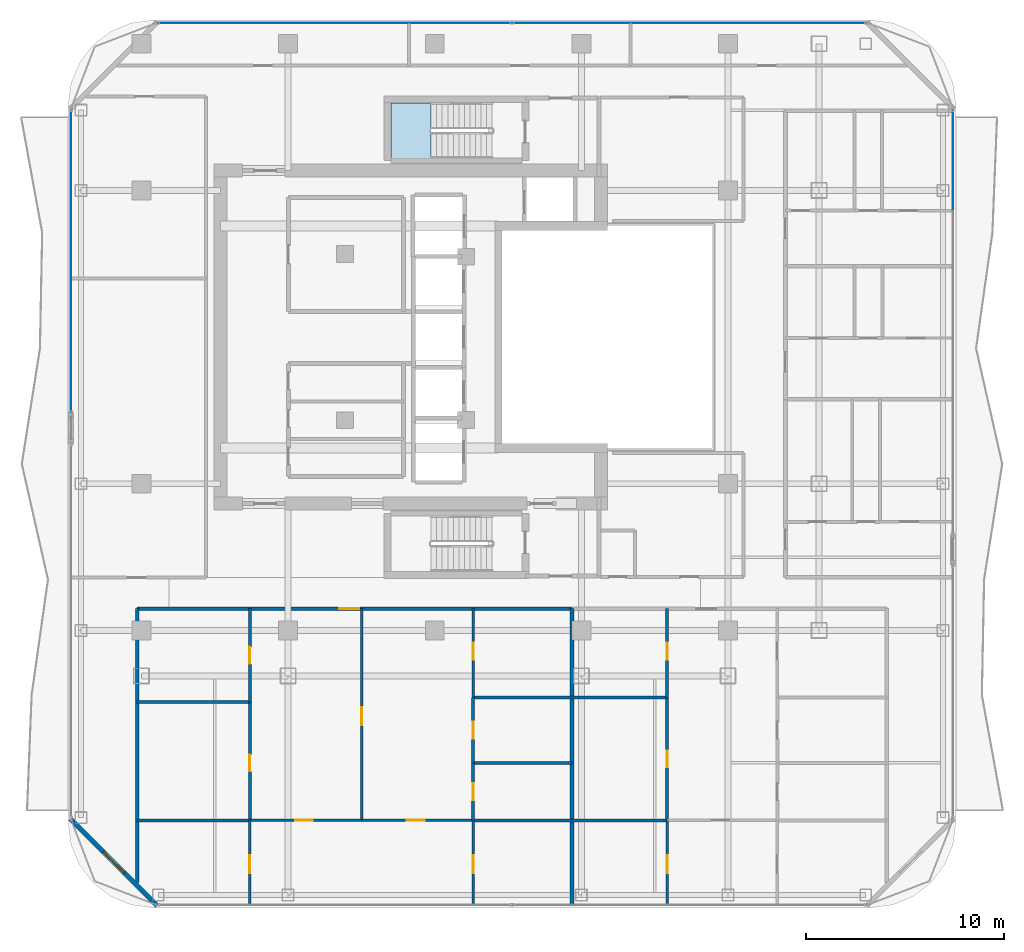
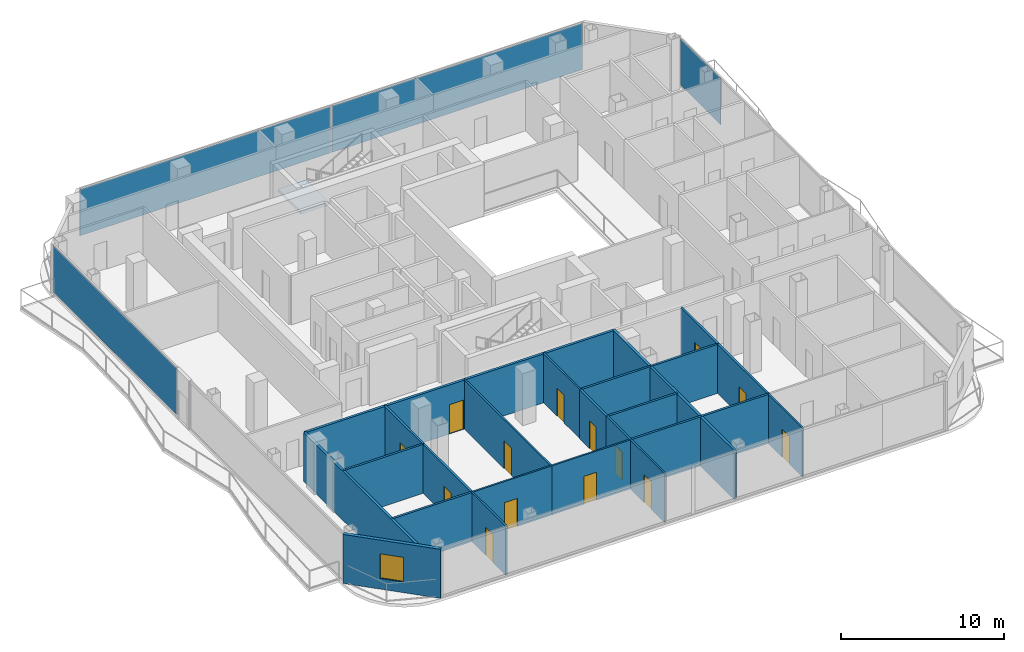
# One storey, part 20 of 27: 24 walls, 14 doors, 4 plates, 1 slab, 1 window, 15 openings, 4 elements without a shape of their own.
"""IFC4 building model written with IfcOpenShell, lengths in metres."""

from ifc_helpers import new_model, si_unit, direction, frame, frame_2d, origin, origin_2d, place, context, subcontext, project, spatial, polyline, rectangle, outline, extrude, material, layer, layer_set, type_object, element, fill, aggregate, save


model = new_model("IFC4")

# Units and contexts
model_context = context("Model", 3, precision=1e-05, world=origin(), true_north=direction((0.0, 1.0)))
body_context = subcontext(model_context, "Body", "Model", "MODEL_VIEW")
ifc_project = project(units=[si_unit("LENGTHUNIT", "METRE"), si_unit("AREAUNIT", "SQUARE_METRE"), si_unit("VOLUMEUNIT", "CUBIC_METRE"), si_unit("PLANEANGLEUNIT", "RADIAN"), si_unit("MASSUNIT", "GRAM", prefix="KILO")], contexts=[model_context])

# Site, building, storey
site_placement = place(None, origin())
site = spatial("IfcSite", under=ifc_project, at=site_placement, CompositionType="ELEMENT")
building_placement = place(site_placement, origin())
building = spatial("IfcBuilding", under=site, at=building_placement, Name="Khorvyn Point Tower", CompositionType="ELEMENT")
storey_placement = place(building_placement, frame((0.0, 0.0, 243.0)))
storey = spatial("IfcBuildingStorey", under=building, at=storey_placement, Name="L59", CompositionType="ELEMENT", Elevation=243.0)

# Stair, slab
ifc_material_1 = material(Name="Concrete C40/50", Category="concrete")
stair_type = type_object("IfcStairType", Name="Tower Concrete C40/50 Dogleg Exit Stair", PredefinedType="HALF_TURN_STAIR", material=ifc_material_1)
stair_placement = place(storey_placement, origin())
stair = element("IfcStair", 1, at=stair_placement, inside=storey, type_object=stair_type, Name="L59 Tower Smokeproof Exit Stair North", PredefinedType="HALF_TURN_STAIR")
ifc_layer_1 = layer(ifc_material_1, 0.199951171875)
ifc_layer_set_1 = layer_set([ifc_layer_1], Name="Concrete C40/50 Stair Landing Slab 200")
slab_type = type_object("IfcSlabType", Name="Concrete C40/50 Stair Landing Slab 200", PredefinedType="LANDING", material=ifc_layer_set_1)
slab_placement = place(storey_placement, frame((0.0, 0.0, 1.75)))
slab = element("IfcSlab", 2, at=slab_placement, type_object=slab_type, Name="ST-02 landing 1", PredefinedType="LANDING", context=body_context, shape_type="SweptSolid", body=[
    extrude(outline(polyline([(-0.179931640625, 11.820068359375), (-2.199951171875, 11.820068359375), (-2.199951171875, 9.02001953125), (-0.179931640625, 9.02001953125), (-0.179931640625, 11.820068359375)])), origin(), (0.0, 0.0, 1.0), 0.199951171875),
])
aggregate(stair, [slab])

# Curtain wall, plates
ifc_material_2 = material(Name="Anodised aluminium 6063-T6 and laminated Low-E glass", Category="aluminium")
ifc_layer_2 = layer(ifc_material_2, 0.18994140625)
ifc_layer_set_2 = layer_set([ifc_layer_2], Name="Stick-Built Acoustic Curtain Wall CW-SYS-03")
curtain_wall_type = type_object("IfcCurtainWallType", Name="Stick-Built Acoustic Curtain Wall CW-SYS-03", PredefinedType="NOTDEFINED", material=ifc_layer_set_2)
curtain_wall_1_placement = place(storey_placement, origin())
curtain_wall_1 = element("IfcCurtainWall", 3, at=curtain_wall_1_placement, inside=storey, type_object=curtain_wall_type, Name="Curtain Wall", PredefinedType="NOTDEFINED")
ifc_material_3 = material(Name="Laminated Low-E insulated glass", Category="glass")
ifc_layer_3 = layer(ifc_material_3, 0.028076171875)
ifc_layer_set_3 = layer_set([ifc_layer_3], Name="Tempered Low-E Vision Glazing Panel CW-GL28")
plate_type = type_object("IfcPlateType", Name="Tempered Low-E Vision Glazing Panel CW-GL28", PredefinedType="CURTAIN_PANEL", material=ifc_layer_set_3)
plate_1_placement = place(storey_placement, frame((-5.050048828125, 15.85009765625, 0.10009765625), z_axis=(0.0, 0.0, 1.0), x_axis=(1.0, 0.0, 0.0)))
plate_1 = element("IfcPlate", 4, at=plate_1_placement, type_object=plate_type, Name="Panel", PredefinedType="CURTAIN_PANEL", context=body_context, shape_type="SweptSolid", body=[
    extrude(rectangle(XDim=17.800048828125, YDim=0.028076171875, at=origin_2d()), origin(), (0.0, 0.0, 1.0), 3.47998046875),
])
plate_2_placement = place(storey_placement, frame((12.85009765625, 15.85009765625, 0.10009765625), z_axis=(0.0, 0.0, 1.0), x_axis=(1.0, 0.0, 0.0)))
plate_2 = element("IfcPlate", 5, at=plate_2_placement, type_object=plate_type, Name="Panel", PredefinedType="CURTAIN_PANEL", context=body_context, shape_type="SweptSolid", body=[
    extrude(rectangle(XDim=17.800048828125, YDim=0.028076171875, at=origin_2d()), origin(), (0.0, 0.0, 1.0), 3.47998046875),
])
aggregate(curtain_wall_1, [plate_1, plate_2])

# Curtain wall, plate
curtain_wall_2_placement = place(storey_placement, origin())
curtain_wall_2 = element("IfcCurtainWall", 6, at=curtain_wall_2_placement, inside=storey, type_object=curtain_wall_type, Name="Curtain Wall", PredefinedType="NOTDEFINED")
plate_3_placement = place(storey_placement, frame((-18.35009765625, 3.83251953125, 0.10009765625), z_axis=(0.0, 0.0, 1.0), x_axis=(0.0, 1.0, 0.0)))
plate_3 = element("IfcPlate", 7, at=plate_3_placement, type_object=plate_type, Name="Panel", PredefinedType="CURTAIN_PANEL", context=body_context, shape_type="SweptSolid", body=[
    extrude(rectangle(XDim=15.235107421875, YDim=0.028076171875, at=origin_2d()), origin(), (0.0, 0.0, 1.0), 3.47998046875),
])
aggregate(curtain_wall_2, [plate_3])

curtain_wall_3_placement = place(storey_placement, origin())
curtain_wall_3 = element("IfcCurtainWall", 8, at=curtain_wall_3_placement, inside=storey, type_object=curtain_wall_type, Name="Curtain Wall", PredefinedType="NOTDEFINED")
plate_4_placement = place(storey_placement, frame((26.14990234375, 8.945068359375, 0.10009765625), z_axis=(0.0, 0.0, 1.0), x_axis=(0.0, -1.0, 0.0)))
plate_4 = element("IfcPlate", 9, at=plate_4_placement, type_object=plate_type, Name="Panel", PredefinedType="CURTAIN_PANEL", context=body_context, shape_type="SweptSolid", body=[
    extrude(rectangle(XDim=5.001953125, YDim=0.028076171875, at=origin_2d()), origin(), (0.0, 0.0, 1.0), 3.47998046875),
])
aggregate(curtain_wall_3, [plate_4])

# Wall, opening, door
ifc_material_4 = material(Name="Double acoustic gypsum on twin steel stud", Category="steel")
ifc_layer_4 = layer(ifc_material_4, 0.179931640625)
ifc_layer_set_4 = layer_set([ifc_layer_4], Name="Acoustic Double-Stud Apartment Demising Wall 180")
wall_type_1 = type_object("IfcWallType", Name="Acoustic Double-Stud Apartment Demising Wall 180", PredefinedType="PARTITIONING", material=ifc_layer_set_4)
wall_1_placement = place(storey_placement, frame((-15.02001953125, -13.699951171875, 0.0), z_axis=(0.0, 0.0, 1.0), x_axis=(1.0, 0.0, 0.0)))
wall_1 = element("IfcWall", 10, at=wall_1_placement, inside=storey, type_object=wall_type_1, Name="Wall", PredefinedType="PARTITIONING", context=body_context, shape_type="SweptSolid", body=[
    extrude(rectangle(XDim=21.947021484375, YDim=0.179931640625, at=frame_2d((10.9736328125, 0.0))), origin(), (0.0, 0.0, 1.0), 3.679931640625),
])
opening_1_placement = place(wall_1_placement, frame((10.20458984375, 0.0, 0.0)))
opening_1 = element("IfcOpeningElement", 11, at=opening_1_placement, cuts=wall_1, Name="Opening ID-AP60", PredefinedType="OPENING", context=body_context, shape_type="SweptSolid", body=[
    extrude(rectangle(XDim=1.0, YDim=2.199951171875, at=frame_2d((0.5, 1.10009765625))), frame((0.0, 0.099853515625, 0.0), z_axis=(0.0, -1.0, 0.0), x_axis=(1.0, 0.0, 0.0)), (0.0, 0.0, 1.0), 0.199951171875),
])
ifc_material_5 = material(Name="Engineered hardwood fire-rated leaf", Category="wood")
door_type_1 = type_object("IfcDoorType", Name="Acoustic Solid-Core Timber Apartment Entrance Door 1000x2200", OperationType="NOTDEFINED", PredefinedType="DOOR", material=ifc_material_5)
door_1_placement = place(opening_1_placement, origin())
door_1 = element("IfcDoor", 12, at=door_1_placement, inside=storey, type_object=door_type_1, Name="Door", OperationType="SINGLE_SWING_LEFT", OverallHeight=2.199951171875, OverallWidth=1.0, PredefinedType="DOOR", context=body_context, shape_type="SweptSolid", body=[
    extrude(rectangle(XDim=1.0, YDim=2.199951171875, at=frame_2d((0.5, 1.10009765625))), frame((0.0, 0.02490234375, 0.0), z_axis=(0.0, -1.0, 0.0), x_axis=(1.0, 0.0, 0.0)), (0.0, 0.0, 1.0), 0.050048828125),
])
fill(opening_1, door_1)

# Walls
wall_2_placement = place(storey_placement, frame((6.927001953125, -28.6298828125, 0.0), z_axis=(0.0, 0.0, 1.0), x_axis=(0.0, 1.0, 0.0)))
element("IfcWall", 13, at=wall_2_placement, inside=storey, type_object=wall_type_1, Name="Wall", PredefinedType="PARTITIONING", context=body_context, shape_type="SweptSolid", body=[
    extrude(rectangle(XDim=14.929931640625, YDim=0.179931640625, at=frame_2d((7.46484375, 0.0))), origin(), (0.0, 0.0, 1.0), 3.679931640625),
])
wall_3_placement = place(storey_placement, frame((-15.02001953125, -27.510009765625, 0.0), z_axis=(0.0, 0.0, 1.0), x_axis=(0.0, 1.0, 0.0)))
element("IfcWall", 14, at=wall_3_placement, inside=storey, type_object=wall_type_1, Name="Wall", PredefinedType="PARTITIONING", context=body_context, shape_type="SweptSolid", body=[
    extrude(rectangle(XDim=13.81005859375, YDim=0.179931640625, at=frame_2d((6.905029296875, 0.0))), origin(), (0.0, 0.0, 1.0), 3.679931640625),
])

# Wall, opening, window
ifc_material_6 = material(Name="Pale anodised aluminium rainscreen on steel stud", Category="steel")
ifc_layer_5 = layer(ifc_material_6, 0.239990234375)
ifc_layer_set_5 = layer_set([ifc_layer_5], Name="Anodised Aluminium Insulated Corner Spandrel Wall 240")
wall_type_2 = type_object("IfcWallType", Name="Anodised Aluminium Insulated Corner Spandrel Wall 240", PredefinedType="SOLIDWALL", material=ifc_layer_set_5)
wall_4_placement = place(storey_placement, frame((-14.007568359375, -28.6923828125, 0.0), z_axis=(0.0, 0.0, 1.0), x_axis=(-0.707106781187, 0.707106781187, 0.0)))
wall_4 = element("IfcWall", 15, at=wall_4_placement, inside=storey, type_object=wall_type_2, Name="L59 Rounded Corner Wall SW", PredefinedType="SOLIDWALL", context=body_context, shape_type="SweptSolid", body=[
    extrude(rectangle(XDim=6.200927734375, YDim=0.239990234375, at=frame_2d((3.1005859375, 0.0))), origin(), (0.0, 0.0, 1.0), 3.679931640625),
])
opening_2_placement = place(wall_4_placement, frame((2.3505859375, 0.0, 0.800048828125)))
opening_2 = element("IfcOpeningElement", 16, at=opening_2_placement, cuts=wall_4, Name="Opening WN-1518", PredefinedType="OPENING", context=body_context, shape_type="SweptSolid", body=[
    extrude(rectangle(XDim=1.5, YDim=1.85009765625, at=frame_2d((0.75, 0.925048828125))), frame((0.0, 0.1298828125, 0.0), z_axis=(0.0, -1.0, 0.0), x_axis=(1.0, 0.0, 0.0)), (0.0, 0.0, 1.0), 0.260009765625),
])
window_type = type_object("IfcWindowType", Name="Anodised Aluminium Rounded-Corner Panoramic Window 1500x1850", PartitioningType="SINGLE_PANEL", PredefinedType="WINDOW", material=ifc_material_2)
window_placement = place(opening_2_placement, origin())
window = element("IfcWindow", 17, at=window_placement, inside=storey, type_object=window_type, Name="L59 Corner Panoramic Window SW", OverallHeight=1.85009765625, OverallWidth=1.5, PartitioningType="SINGLE_PANEL", PredefinedType="WINDOW", context=body_context, shape_type="SweptSolid", body=[
    extrude(rectangle(XDim=1.5, YDim=1.85009765625, at=frame_2d((0.75, 0.925048828125))), frame((0.0, 0.030029296875, 0.0), z_axis=(0.0, -1.0, 0.0), x_axis=(1.0, 0.0, 0.0)), (0.0, 0.0, 1.0), 0.06005859375),
])
fill(opening_2, window)

# Wall, opening, door
ifc_material_7 = material(Name="Gypsum plasterboard on steel stud", Category="steel")
ifc_layer_6 = layer(ifc_material_7, 0.1201171875)
ifc_layer_set_6 = layer_set([ifc_layer_6], Name="Gypsum Acoustic Stud Room Partition Wall 120")
wall_type_3 = type_object("IfcWallType", Name="Gypsum Acoustic Stud Room Partition Wall 120", PredefinedType="PARTITIONING", material=ifc_layer_set_6)
wall_5_placement = place(storey_placement, frame((-9.323974609375, -24.389892578125, 0.0), z_axis=(0.0, 0.0, 1.0), x_axis=(1.0, 0.0, 0.0)))
wall_5 = element("IfcWall", 18, at=wall_5_placement, inside=storey, type_object=wall_type_3, Name="Wall", PredefinedType="PARTITIONING", context=body_context, shape_type="SweptSolid", body=[
    extrude(rectangle(XDim=5.633056640625, YDim=0.1201171875, at=frame_2d((2.81640625, 0.0))), origin(), (0.0, 0.0, 1.0), 3.679931640625),
])
opening_3_placement = place(wall_5_placement, frame((2.2783203125, 0.0, 0.0)))
opening_3 = element("IfcOpeningElement", 19, at=opening_3_placement, cuts=wall_5, Name="Opening ID-RM90", PredefinedType="OPENING", context=body_context, shape_type="SweptSolid", body=[
    extrude(rectangle(XDim=0.89990234375, YDim=2.10009765625, at=frame_2d((0.449951171875, 1.050048828125))), frame((0.0, 0.070068359375, 0.0), z_axis=(0.0, -1.0, 0.0), x_axis=(1.0, 0.0, 0.0)), (0.0, 0.0, 1.0), 0.14013671875),
])
ifc_material_8 = material(Name="Engineered oak veneer timber", Category="wood")
door_type_2 = type_object("IfcDoorType", Name="Flush Engineered Timber Room Door 900x2100", OperationType="NOTDEFINED", PredefinedType="DOOR", material=ifc_material_8)
door_2_placement = place(opening_3_placement, origin())
door_2 = element("IfcDoor", 20, at=door_2_placement, inside=storey, type_object=door_type_2, Name="Door", OperationType="SINGLE_SWING_RIGHT", OverallHeight=2.10009765625, OverallWidth=0.89990234375, PredefinedType="DOOR", context=body_context, shape_type="SweptSolid", body=[
    extrude(rectangle(XDim=0.89990234375, YDim=2.10009765625, at=frame_2d((0.449951171875, 1.050048828125))), frame((0.0, 0.02490234375, 0.0), z_axis=(0.0, -1.0, 0.0), x_axis=(1.0, 0.0, 0.0)), (0.0, 0.0, 1.0), 0.050048828125),
])
fill(opening_3, door_2)

wall_6_placement = place(storey_placement, frame((-3.69091796875, -24.389892578125, 0.0), z_axis=(0.0, 0.0, 1.0), x_axis=(1.0, 0.0, 0.0)))
wall_6 = element("IfcWall", 21, at=wall_6_placement, inside=storey, type_object=wall_type_3, Name="Wall", PredefinedType="PARTITIONING", context=body_context, shape_type="SweptSolid", body=[
    extrude(rectangle(XDim=5.634033203125, YDim=0.1201171875, at=frame_2d((2.81689453125, 0.0))), origin(), (0.0, 0.0, 1.0), 3.679931640625),
])
opening_4_placement = place(wall_6_placement, frame((2.27880859375, 0.0, 0.0)))
opening_4 = element("IfcOpeningElement", 22, at=opening_4_placement, cuts=wall_6, Name="Opening ID-RM90", PredefinedType="OPENING", context=body_context, shape_type="SweptSolid", body=[
    extrude(rectangle(XDim=0.89990234375, YDim=2.10009765625, at=frame_2d((0.449951171875, 1.050048828125))), frame((0.0, 0.070068359375, 0.0), z_axis=(0.0, -1.0, 0.0), x_axis=(1.0, 0.0, 0.0)), (0.0, 0.0, 1.0), 0.14013671875),
])
door_3_placement = place(opening_4_placement, origin())
door_3 = element("IfcDoor", 23, at=door_3_placement, inside=storey, type_object=door_type_2, Name="Door", OperationType="SINGLE_SWING_LEFT", OverallHeight=2.10009765625, OverallWidth=0.89990234375, PredefinedType="DOOR", context=body_context, shape_type="SweptSolid", body=[
    extrude(rectangle(XDim=0.89990234375, YDim=2.10009765625, at=frame_2d((0.449951171875, 1.050048828125))), frame((0.0, 0.02490234375, 0.0), z_axis=(0.0, -1.0, 0.0), x_axis=(1.0, 0.0, 0.0)), (0.0, 0.0, 1.0), 0.050048828125),
])
fill(opening_4, door_3)

wall_7_placement = place(storey_placement, frame((-3.69091796875, -24.389892578125, 0.0), z_axis=(0.0, 0.0, 1.0), x_axis=(0.0, 1.0, 0.0)))
wall_7 = element("IfcWall", 24, at=wall_7_placement, inside=storey, type_object=wall_type_3, Name="Wall", PredefinedType="PARTITIONING", context=body_context, shape_type="SweptSolid", body=[
    extrude(rectangle(XDim=10.68994140625, YDim=0.1201171875, at=frame_2d((5.344970703125, 0.0))), origin(), (0.0, 0.0, 1.0), 3.679931640625),
])
opening_5_placement = place(wall_7_placement, frame((4.8056640625, 0.0, 0.0)))
opening_5 = element("IfcOpeningElement", 25, at=opening_5_placement, cuts=wall_7, Name="Opening ID-RM90", PredefinedType="OPENING", context=body_context, shape_type="SweptSolid", body=[
    extrude(rectangle(XDim=0.89990234375, YDim=2.10009765625, at=frame_2d((0.449951171875, 1.050048828125))), frame((0.0, 0.070068359375, 0.0), z_axis=(0.0, -1.0, 0.0), x_axis=(1.0, 0.0, 0.0)), (0.0, 0.0, 1.0), 0.14013671875),
])
door_4_placement = place(opening_5_placement, origin())
door_4 = element("IfcDoor", 26, at=door_4_placement, inside=storey, type_object=door_type_2, Name="Door", OperationType="SINGLE_SWING_RIGHT", OverallHeight=2.10009765625, OverallWidth=0.89990234375, PredefinedType="DOOR", context=body_context, shape_type="SweptSolid", body=[
    extrude(rectangle(XDim=0.89990234375, YDim=2.10009765625, at=frame_2d((0.449951171875, 1.050048828125))), frame((0.0, 0.02490234375, 0.0), z_axis=(0.0, -1.0, 0.0), x_axis=(1.0, 0.0, 0.0)), (0.0, 0.0, 1.0), 0.050048828125),
])
fill(opening_5, door_4)

wall_8_placement = place(storey_placement, frame((-9.323974609375, -28.6298828125, 0.0), z_axis=(0.0, 0.0, 1.0), x_axis=(0.0, 1.0, 0.0)))
wall_8 = element("IfcWall", 27, at=wall_8_placement, inside=storey, type_object=wall_type_3, Name="Wall", PredefinedType="PARTITIONING", context=body_context, shape_type="SweptSolid", body=[
    extrude(rectangle(XDim=4.239990234375, YDim=0.1201171875, at=frame_2d((2.1201171875, 0.0))), origin(), (0.0, 0.0, 1.0), 3.679931640625),
])
opening_6_placement = place(wall_8_placement, frame((1.581298828125, 0.0, 0.0)))
opening_6 = element("IfcOpeningElement", 28, at=opening_6_placement, cuts=wall_8, Name="Opening ID-RM90", PredefinedType="OPENING", context=body_context, shape_type="SweptSolid", body=[
    extrude(rectangle(XDim=0.89990234375, YDim=2.10009765625, at=frame_2d((0.449951171875, 1.050048828125))), frame((0.0, 0.070068359375, 0.0), z_axis=(0.0, -1.0, 0.0), x_axis=(1.0, 0.0, 0.0)), (0.0, 0.0, 1.0), 0.14013671875),
])
door_5_placement = place(opening_6_placement, origin())
door_5 = element("IfcDoor", 29, at=door_5_placement, inside=storey, type_object=door_type_2, Name="Door", OperationType="SINGLE_SWING_LEFT", OverallHeight=2.10009765625, OverallWidth=0.89990234375, PredefinedType="DOOR", context=body_context, shape_type="SweptSolid", body=[
    extrude(rectangle(XDim=0.89990234375, YDim=2.10009765625, at=frame_2d((0.449951171875, 1.050048828125))), frame((0.0, 0.02490234375, 0.0), z_axis=(0.0, -1.0, 0.0), x_axis=(1.0, 0.0, 0.0)), (0.0, 0.0, 1.0), 0.050048828125),
])
fill(opening_6, door_5)

wall_9_placement = place(storey_placement, frame((1.943115234375, -18.18994140625, 0.0), z_axis=(0.0, 0.0, 1.0), x_axis=(0.0, 1.0, 0.0)))
wall_9 = element("IfcWall", 30, at=wall_9_placement, inside=storey, type_object=wall_type_3, Name="Wall", PredefinedType="PARTITIONING", context=body_context, shape_type="SweptSolid", body=[
    extrude(rectangle(XDim=4.489990234375, YDim=0.1201171875, at=frame_2d((2.2451171875, 0.0))), origin(), (0.0, 0.0, 1.0), 3.679931640625),
])
opening_7_placement = place(wall_9_placement, frame((1.907470703125, 0.0, 0.0)))
opening_7 = element("IfcOpeningElement", 31, at=opening_7_placement, cuts=wall_9, Name="Opening ID-WC85", PredefinedType="OPENING", context=body_context, shape_type="SweptSolid", body=[
    extrude(rectangle(XDim=0.85009765625, YDim=2.10009765625, at=frame_2d((0.425048828125, 1.050048828125))), frame((0.0, 0.070068359375, 0.0), z_axis=(0.0, -1.0, 0.0), x_axis=(1.0, 0.0, 0.0)), (0.0, 0.0, 1.0), 0.14013671875),
])
ifc_material_9 = material(Name="High-pressure laminate on moisture-resistant core", Category="wood")
door_type_3 = type_object("IfcDoorType", Name="Moisture-Resistant Accessible Washroom Door 850x2100", OperationType="NOTDEFINED", PredefinedType="DOOR", material=ifc_material_9)
door_6_placement = place(opening_7_placement, origin())
door_6 = element("IfcDoor", 32, at=door_6_placement, inside=storey, type_object=door_type_3, Name="Door", OperationType="SINGLE_SWING_RIGHT", OverallHeight=2.10009765625, OverallWidth=0.85009765625, PredefinedType="DOOR", context=body_context, shape_type="SweptSolid", body=[
    extrude(rectangle(XDim=0.85009765625, YDim=2.10009765625, at=frame_2d((0.425048828125, 1.050048828125))), frame((0.0, 0.02490234375, 0.0), z_axis=(0.0, -1.0, 0.0), x_axis=(1.0, 0.0, 0.0)), (0.0, 0.0, 1.0), 0.050048828125),
])
fill(opening_7, door_6)

wall_10_placement = place(storey_placement, frame((1.943115234375, -28.6298828125, 0.0), z_axis=(0.0, 0.0, 1.0), x_axis=(0.0, 1.0, 0.0)))
wall_10 = element("IfcWall", 33, at=wall_10_placement, inside=storey, type_object=wall_type_3, Name="Wall", PredefinedType="PARTITIONING", context=body_context, shape_type="SweptSolid", body=[
    extrude(rectangle(XDim=4.239990234375, YDim=0.1201171875, at=frame_2d((2.1201171875, 0.0))), origin(), (0.0, 0.0, 1.0), 3.679931640625),
])
opening_8_placement = place(wall_10_placement, frame((1.581298828125, 0.0, 0.0)))
opening_8 = element("IfcOpeningElement", 34, at=opening_8_placement, cuts=wall_10, Name="Opening ID-RM90", PredefinedType="OPENING", context=body_context, shape_type="SweptSolid", body=[
    extrude(rectangle(XDim=0.89990234375, YDim=2.10009765625, at=frame_2d((0.449951171875, 1.050048828125))), frame((0.0, 0.070068359375, 0.0), z_axis=(0.0, -1.0, 0.0), x_axis=(1.0, 0.0, 0.0)), (0.0, 0.0, 1.0), 0.14013671875),
])
door_7_placement = place(opening_8_placement, origin())
door_7 = element("IfcDoor", 35, at=door_7_placement, inside=storey, type_object=door_type_2, Name="Door", OperationType="SINGLE_SWING_LEFT", OverallHeight=2.10009765625, OverallWidth=0.89990234375, PredefinedType="DOOR", context=body_context, shape_type="SweptSolid", body=[
    extrude(rectangle(XDim=0.89990234375, YDim=2.10009765625, at=frame_2d((0.449951171875, 1.050048828125))), frame((0.0, 0.02490234375, 0.0), z_axis=(0.0, -1.0, 0.0), x_axis=(1.0, 0.0, 0.0)), (0.0, 0.0, 1.0), 0.050048828125),
])
fill(opening_8, door_7)

wall_11_placement = place(storey_placement, frame((11.72998046875, -28.6298828125, 0.0), z_axis=(0.0, 0.0, 1.0), x_axis=(0.0, 1.0, 0.0)))
wall_11 = element("IfcWall", 36, at=wall_11_placement, inside=storey, type_object=wall_type_3, Name="Wall", PredefinedType="PARTITIONING", context=body_context, shape_type="SweptSolid", body=[
    extrude(rectangle(XDim=4.239990234375, YDim=0.1201171875, at=frame_2d((2.1201171875, 0.0))), origin(), (0.0, 0.0, 1.0), 3.679931640625),
])
opening_9_placement = place(wall_11_placement, frame((1.581298828125, 0.0, 0.0)))
opening_9 = element("IfcOpeningElement", 37, at=opening_9_placement, cuts=wall_11, Name="Opening ID-RM90", PredefinedType="OPENING", context=body_context, shape_type="SweptSolid", body=[
    extrude(rectangle(XDim=0.89990234375, YDim=2.10009765625, at=frame_2d((0.449951171875, 1.050048828125))), frame((0.0, 0.070068359375, 0.0), z_axis=(0.0, -1.0, 0.0), x_axis=(1.0, 0.0, 0.0)), (0.0, 0.0, 1.0), 0.14013671875),
])
door_8_placement = place(opening_9_placement, origin())
door_8 = element("IfcDoor", 38, at=door_8_placement, inside=storey, type_object=door_type_2, Name="Door", OperationType="SINGLE_SWING_RIGHT", OverallHeight=2.10009765625, OverallWidth=0.89990234375, PredefinedType="DOOR", context=body_context, shape_type="SweptSolid", body=[
    extrude(rectangle(XDim=0.89990234375, YDim=2.10009765625, at=frame_2d((0.449951171875, 1.050048828125))), frame((0.0, 0.02490234375, 0.0), z_axis=(0.0, -1.0, 0.0), x_axis=(1.0, 0.0, 0.0)), (0.0, 0.0, 1.0), 0.050048828125),
])
fill(opening_9, door_8)

ifc_material_10 = material(Name="Moisture-resistant gypsum and cement board", Category="gypsum")
ifc_layer_7 = layer(ifc_material_10, 0.14990234375)
ifc_layer_set_7 = layer_set([ifc_layer_7], Name="Moisture-Resistant Wet-Room Partition Wall 150")
wall_type_4 = type_object("IfcWallType", Name="Moisture-Resistant Wet-Room Partition Wall 150", PredefinedType="PARTITIONING", material=ifc_layer_set_7)
wall_12_placement = place(storey_placement, frame((-9.323974609375, -24.389892578125, 0.0), z_axis=(0.0, 0.0, 1.0), x_axis=(0.0, 1.0, 0.0)))
wall_12 = element("IfcWall", 39, at=wall_12_placement, inside=storey, type_object=wall_type_4, Name="Wall", PredefinedType="PARTITIONING", context=body_context, shape_type="SweptSolid", body=[
    extrude(rectangle(XDim=5.968994140625, YDim=0.14990234375, at=frame_2d((2.984375, 0.0))), origin(), (0.0, 0.0, 1.0), 3.679931640625),
])
opening_10_placement = place(wall_12_placement, frame((2.470703125, 0.0, 0.0)))
opening_10 = element("IfcOpeningElement", 40, at=opening_10_placement, cuts=wall_12, Name="Opening ID-WC85", PredefinedType="OPENING", context=body_context, shape_type="SweptSolid", body=[
    extrude(rectangle(XDim=0.85009765625, YDim=2.10009765625, at=frame_2d((0.425048828125, 1.050048828125))), frame((0.0, 0.0849609375, 0.0), z_axis=(0.0, -1.0, 0.0), x_axis=(1.0, 0.0, 0.0)), (0.0, 0.0, 1.0), 0.169921875),
])
door_9_placement = place(opening_10_placement, origin())
door_9 = element("IfcDoor", 41, at=door_9_placement, inside=storey, type_object=door_type_3, Name="Door", OperationType="SINGLE_SWING_LEFT", OverallHeight=2.10009765625, OverallWidth=0.85009765625, PredefinedType="DOOR", context=body_context, shape_type="SweptSolid", body=[
    extrude(rectangle(XDim=0.85009765625, YDim=2.10009765625, at=frame_2d((0.425048828125, 1.050048828125))), frame((0.0, 0.02490234375, 0.0), z_axis=(0.0, -1.0, 0.0), x_axis=(1.0, 0.0, 0.0)), (0.0, 0.0, 1.0), 0.050048828125),
])
fill(opening_10, door_9)

wall_13_placement = place(storey_placement, frame((-9.323974609375, -18.4208984375, 0.0), z_axis=(0.0, 0.0, 1.0), x_axis=(0.0, 1.0, 0.0)))
wall_13 = element("IfcWall", 42, at=wall_13_placement, inside=storey, type_object=wall_type_4, Name="Wall", PredefinedType="PARTITIONING", context=body_context, shape_type="SweptSolid", body=[
    extrude(rectangle(XDim=4.720947265625, YDim=0.14990234375, at=frame_2d((2.3603515625, 0.0))), origin(), (0.0, 0.0, 1.0), 3.679931640625),
])
opening_11_placement = place(wall_13_placement, frame((1.935546875, 0.0, 0.0)))
opening_11 = element("IfcOpeningElement", 43, at=opening_11_placement, cuts=wall_13, Name="Opening ID-WC85", PredefinedType="OPENING", context=body_context, shape_type="SweptSolid", body=[
    extrude(rectangle(XDim=0.85009765625, YDim=2.10009765625, at=frame_2d((0.425048828125, 1.050048828125))), frame((0.0, 0.0849609375, 0.0), z_axis=(0.0, -1.0, 0.0), x_axis=(1.0, 0.0, 0.0)), (0.0, 0.0, 1.0), 0.169921875),
])
door_10_placement = place(opening_11_placement, origin())
door_10 = element("IfcDoor", 44, at=door_10_placement, inside=storey, type_object=door_type_3, Name="Door", OperationType="SINGLE_SWING_RIGHT", OverallHeight=2.10009765625, OverallWidth=0.85009765625, PredefinedType="DOOR", context=body_context, shape_type="SweptSolid", body=[
    extrude(rectangle(XDim=0.85009765625, YDim=2.10009765625, at=frame_2d((0.425048828125, 1.050048828125))), frame((0.0, 0.02490234375, 0.0), z_axis=(0.0, -1.0, 0.0), x_axis=(1.0, 0.0, 0.0)), (0.0, 0.0, 1.0), 0.050048828125),
])
fill(opening_11, door_10)

wall_14_placement = place(storey_placement, frame((1.943115234375, -24.389892578125, 0.0), z_axis=(0.0, 0.0, 1.0), x_axis=(0.0, 1.0, 0.0)))
wall_14 = element("IfcWall", 45, at=wall_14_placement, inside=storey, type_object=wall_type_4, Name="Wall", PredefinedType="PARTITIONING", context=body_context, shape_type="SweptSolid", body=[
    extrude(rectangle(XDim=2.885986328125, YDim=0.14990234375, at=frame_2d((1.44287109375, 0.0))), origin(), (0.0, 0.0, 1.0), 3.679931640625),
])
opening_12_placement = place(wall_14_placement, frame((1.01806640625, 0.0, 0.0)))
opening_12 = element("IfcOpeningElement", 46, at=opening_12_placement, cuts=wall_14, Name="Opening ID-WC85", PredefinedType="OPENING", context=body_context, shape_type="SweptSolid", body=[
    extrude(rectangle(XDim=0.85009765625, YDim=2.10009765625, at=frame_2d((0.425048828125, 1.050048828125))), frame((0.0, 0.0849609375, 0.0), z_axis=(0.0, -1.0, 0.0), x_axis=(1.0, 0.0, 0.0)), (0.0, 0.0, 1.0), 0.169921875),
])
door_11_placement = place(opening_12_placement, origin())
door_11 = element("IfcDoor", 47, at=door_11_placement, inside=storey, type_object=door_type_3, Name="Door", OperationType="SINGLE_SWING_RIGHT", OverallHeight=2.10009765625, OverallWidth=0.85009765625, PredefinedType="DOOR", context=body_context, shape_type="SweptSolid", body=[
    extrude(rectangle(XDim=0.85009765625, YDim=2.10009765625, at=frame_2d((0.425048828125, 1.050048828125))), frame((0.0, 0.02490234375, 0.0), z_axis=(0.0, -1.0, 0.0), x_axis=(1.0, 0.0, 0.0)), (0.0, 0.0, 1.0), 0.050048828125),
])
fill(opening_12, door_11)

wall_15_placement = place(storey_placement, frame((1.943115234375, -21.50390625, 0.0), z_axis=(0.0, 0.0, 1.0), x_axis=(0.0, 1.0, 0.0)))
wall_15 = element("IfcWall", 48, at=wall_15_placement, inside=storey, type_object=wall_type_4, Name="Wall", PredefinedType="PARTITIONING", context=body_context, shape_type="SweptSolid", body=[
    extrude(rectangle(XDim=3.31396484375, YDim=0.14990234375, at=frame_2d((1.656982421875, 0.0))), origin(), (0.0, 0.0, 1.0), 3.679931640625),
])
opening_13_placement = place(wall_15_placement, frame((1.23193359375, 0.0, 0.0)))
opening_13 = element("IfcOpeningElement", 49, at=opening_13_placement, cuts=wall_15, Name="Opening ID-WC85", PredefinedType="OPENING", context=body_context, shape_type="SweptSolid", body=[
    extrude(rectangle(XDim=0.85009765625, YDim=2.10009765625, at=frame_2d((0.425048828125, 1.050048828125))), frame((0.0, 0.0849609375, 0.0), z_axis=(0.0, -1.0, 0.0), x_axis=(1.0, 0.0, 0.0)), (0.0, 0.0, 1.0), 0.169921875),
])
door_12_placement = place(opening_13_placement, origin())
door_12 = element("IfcDoor", 50, at=door_12_placement, inside=storey, type_object=door_type_3, Name="Door", OperationType="SINGLE_SWING_LEFT", OverallHeight=2.10009765625, OverallWidth=0.85009765625, PredefinedType="DOOR", context=body_context, shape_type="SweptSolid", body=[
    extrude(rectangle(XDim=0.85009765625, YDim=2.10009765625, at=frame_2d((0.425048828125, 1.050048828125))), frame((0.0, 0.02490234375, 0.0), z_axis=(0.0, -1.0, 0.0), x_axis=(1.0, 0.0, 0.0)), (0.0, 0.0, 1.0), 0.050048828125),
])
fill(opening_13, door_12)

wall_16_placement = place(storey_placement, frame((11.72998046875, -24.389892578125, 0.0), z_axis=(0.0, 0.0, 1.0), x_axis=(0.0, 1.0, 0.0)))
wall_16 = element("IfcWall", 51, at=wall_16_placement, inside=storey, type_object=wall_type_4, Name="Wall", PredefinedType="PARTITIONING", context=body_context, shape_type="SweptSolid", body=[
    extrude(rectangle(XDim=6.199951171875, YDim=0.14990234375, at=frame_2d((3.10009765625, 0.0))), origin(), (0.0, 0.0, 1.0), 3.679931640625),
])
opening_14_placement = place(wall_16_placement, frame((2.675048828125, 0.0, 0.0)))
opening_14 = element("IfcOpeningElement", 52, at=opening_14_placement, cuts=wall_16, Name="Opening ID-WC85", PredefinedType="OPENING", context=body_context, shape_type="SweptSolid", body=[
    extrude(rectangle(XDim=0.85009765625, YDim=2.10009765625, at=frame_2d((0.425048828125, 1.050048828125))), frame((0.0, 0.0849609375, 0.0), z_axis=(0.0, -1.0, 0.0), x_axis=(1.0, 0.0, 0.0)), (0.0, 0.0, 1.0), 0.169921875),
])
door_13_placement = place(opening_14_placement, origin())
door_13 = element("IfcDoor", 53, at=door_13_placement, inside=storey, type_object=door_type_3, Name="Door", OperationType="SINGLE_SWING_RIGHT", OverallHeight=2.10009765625, OverallWidth=0.85009765625, PredefinedType="DOOR", context=body_context, shape_type="SweptSolid", body=[
    extrude(rectangle(XDim=0.85009765625, YDim=2.10009765625, at=frame_2d((0.425048828125, 1.050048828125))), frame((0.0, 0.02490234375, 0.0), z_axis=(0.0, -1.0, 0.0), x_axis=(1.0, 0.0, 0.0)), (0.0, 0.0, 1.0), 0.050048828125),
])
fill(opening_14, door_13)

wall_17_placement = place(storey_placement, frame((11.72998046875, -18.18994140625, 0.0), z_axis=(0.0, 0.0, 1.0), x_axis=(0.0, 1.0, 0.0)))
wall_17 = element("IfcWall", 54, at=wall_17_placement, inside=storey, type_object=wall_type_4, Name="Wall", PredefinedType="PARTITIONING", context=body_context, shape_type="SweptSolid", body=[
    extrude(rectangle(XDim=4.489990234375, YDim=0.14990234375, at=frame_2d((2.2451171875, 0.0))), origin(), (0.0, 0.0, 1.0), 3.679931640625),
])
opening_15_placement = place(wall_17_placement, frame((1.907470703125, 0.0, 0.0)))
opening_15 = element("IfcOpeningElement", 55, at=opening_15_placement, cuts=wall_17, Name="Opening ID-WC85", PredefinedType="OPENING", context=body_context, shape_type="SweptSolid", body=[
    extrude(rectangle(XDim=0.85009765625, YDim=2.10009765625, at=frame_2d((0.425048828125, 1.050048828125))), frame((0.0, 0.0849609375, 0.0), z_axis=(0.0, -1.0, 0.0), x_axis=(1.0, 0.0, 0.0)), (0.0, 0.0, 1.0), 0.169921875),
])
door_14_placement = place(opening_15_placement, origin())
door_14 = element("IfcDoor", 56, at=door_14_placement, inside=storey, type_object=door_type_3, Name="Door", OperationType="SINGLE_SWING_LEFT", OverallHeight=2.10009765625, OverallWidth=0.85009765625, PredefinedType="DOOR", context=body_context, shape_type="SweptSolid", body=[
    extrude(rectangle(XDim=0.85009765625, YDim=2.10009765625, at=frame_2d((0.425048828125, 1.050048828125))), frame((0.0, 0.02490234375, 0.0), z_axis=(0.0, -1.0, 0.0), x_axis=(1.0, 0.0, 0.0)), (0.0, 0.0, 1.0), 0.050048828125),
])
fill(opening_15, door_14)

# Walls
for number, where, z_axis, x_axis, name in (
    (57, (-15.02001953125, -18.4208984375, 0.0), (0.0, 0.0, 1.0), (1.0, 0.0, 0.0), "Wall"),
    (58, (-15.02001953125, -24.389892578125, 0.0), (0.0, 0.0, 1.0), (1.0, 0.0, 0.0), "Wall"),
):
    element("IfcWall", number, at=place(storey_placement, frame(where, z_axis=z_axis, x_axis=x_axis)), inside=storey, type_object=wall_type_4, Name=name, PredefinedType="PARTITIONING", context=body_context, shape_type="SweptSolid", body=[
        extrude(rectangle(XDim=5.696044921875, YDim=0.14990234375, at=frame_2d((2.84814453125, 0.0))), origin(), (0.0, 0.0, 1.0), 3.679931640625),
    ])
for number, where, z_axis, x_axis, name in (
    (59, (1.943115234375, -21.50390625, 0.0), (0.0, 0.0, 1.0), (1.0, 0.0, 0.0), "Wall"),
    (60, (1.943115234375, -18.18994140625, 0.0), (0.0, 0.0, 1.0), (1.0, 0.0, 0.0), "Wall"),
    (61, (1.943115234375, -24.389892578125, 0.0), (0.0, 0.0, 1.0), (1.0, 0.0, 0.0), "Wall"),
):
    element("IfcWall", number, at=place(storey_placement, frame(where, z_axis=z_axis, x_axis=x_axis)), inside=storey, type_object=wall_type_4, Name=name, PredefinedType="PARTITIONING", context=body_context, shape_type="SweptSolid", body=[
        extrude(rectangle(XDim=4.98388671875, YDim=0.14990234375, at=frame_2d((2.491943359375, 0.0))), origin(), (0.0, 0.0, 1.0), 3.679931640625),
    ])
for number, where, z_axis, x_axis, name in (
    (62, (6.927001953125, -18.18994140625, 0.0), (0.0, 0.0, 1.0), (1.0, 0.0, 0.0), "Wall"),
    (63, (6.927001953125, -24.389892578125, 0.0), (0.0, 0.0, 1.0), (1.0, 0.0, 0.0), "Wall"),
):
    element("IfcWall", number, at=place(storey_placement, frame(where, z_axis=z_axis, x_axis=x_axis)), inside=storey, type_object=wall_type_4, Name=name, PredefinedType="PARTITIONING", context=body_context, shape_type="SweptSolid", body=[
        extrude(rectangle(XDim=4.802978515625, YDim=0.14990234375, at=frame_2d((2.4013671875, 0.0))), origin(), (0.0, 0.0, 1.0), 3.679931640625),
    ])

save(model, "model.ifc")
